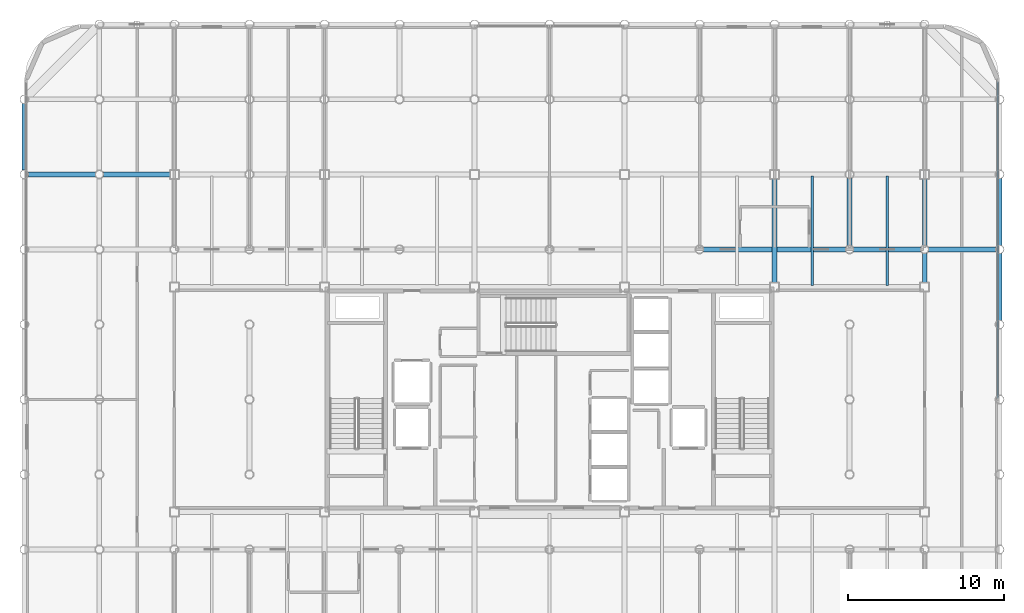
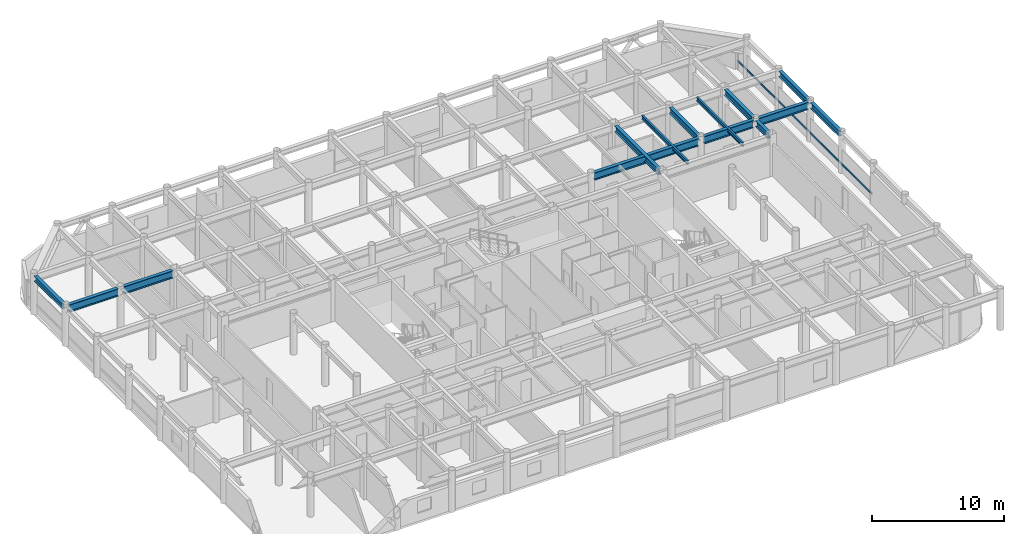
# One storey, part 11 of 22: 14 beams, 1 member, 1 element without a shape of its own.
"""IFC4 building model written with IfcOpenShell, lengths in metres."""

from ifc_helpers import new_model, si_unit, direction, frame, origin, origin_2d, place, context, subcontext, project, spatial, hollow_rectangle, i_section, extrude, material, layer, layer_set, material_profile, profile_set, type_object, element, aggregate, save


model = new_model("IFC4")

# Units and contexts
model_context = context("Model", 3, precision=1e-05, world=origin(), true_north=direction((0.0, 1.0)))
body_context = subcontext(model_context, "Body", "Model", "MODEL_VIEW")
ifc_project = project(units=[si_unit("LENGTHUNIT", "METRE"), si_unit("AREAUNIT", "SQUARE_METRE"), si_unit("VOLUMEUNIT", "CUBIC_METRE"), si_unit("PLANEANGLEUNIT", "RADIAN"), si_unit("MASSUNIT", "GRAM", prefix="KILO")], contexts=[model_context])

# Site, building, storey
site_placement = place(None, origin())
site = spatial("IfcSite", under=ifc_project, at=site_placement, CompositionType="ELEMENT")
building_placement = place(site_placement, origin())
building = spatial("IfcBuilding", under=site, at=building_placement, Name="Kallvorn Hotel Tower", CompositionType="ELEMENT")
storey_placement = place(building_placement, frame((0.0, 0.0, 264.64990234375)))
storey = spatial("IfcBuildingStorey", under=building, at=storey_placement, Name="L66", CompositionType="ELEMENT", Elevation=264.64990234375)

# Beams
ifc_material_1 = material(Name="Structural steel S355JR", Category="steel")
ifc_material_profile_1 = material_profile(ifc_material_1, i_section(OverallWidth=0.300048828125, OverallDepth=0.5, WebThickness=0.014404296875, FlangeThickness=0.028076171875, at=origin_2d()), Name="HE 500 B")
ifc_profile_set_1 = profile_set([ifc_material_profile_1], Name="Structural steel S355JR")
beam_type_1 = type_object("IfcBeamType", Name="BM_HE500B", PredefinedType="SPANDREL", material=ifc_profile_set_1)
beam_1_placement = place(storey_placement, frame((-33.60009765625, 14.66943359375, 3.420166015625), z_axis=(0.0, 1.0, 0.0), x_axis=(-1.0, 0.0, 0.0)))
element("IfcBeam", 1, at=beam_1_placement, inside=storey, type_object=beam_type_1, Name="L67 Perimeter Spandrel 180", PredefinedType="SPANDREL", context=body_context, shape_type="SweptSolid", body=[
    extrude(i_section(OverallWidth=0.300048828125, OverallDepth=0.5, WebThickness=0.014404296875, FlangeThickness=0.028076171875, at=origin_2d()), origin(), (0.0, 0.0, 1.0), 4.260986328125),
])
ifc_material_2 = material(Name="Structural steel S355JR", Category="steel")
ifc_material_profile_2 = material_profile(ifc_material_2, i_section(OverallWidth=0.300048828125, OverallDepth=0.550048828125, WebThickness=0.014892578125, FlangeThickness=0.029052734375, at=origin_2d()), Name="HE 550 B")
ifc_profile_set_2 = profile_set([ifc_material_profile_2], Name="Structural steel S355JR")
beam_type_2 = type_object("IfcBeamType", Name="BM_HE550B", PredefinedType="SPANDREL", material=ifc_profile_set_2)
beam_2_placement = place(storey_placement, frame((14.39990234375, 7.47509765625, 3.39501953125), z_axis=(0.0, 1.0, 0.0), x_axis=(-1.0, 0.0, 0.0)))
element("IfcBeam", 2, at=beam_2_placement, inside=storey, type_object=beam_type_2, Name="L67 Primary Y-Girder 124", PredefinedType="SPANDREL", context=body_context, shape_type="SweptSolid", body=[
    extrude(i_section(OverallWidth=0.300048828125, OverallDepth=0.550048828125, WebThickness=0.014892578125, FlangeThickness=0.029052734375, at=origin_2d()), origin(), (0.0, 0.0, 1.0), 6.64990234375),
])
beam_3_placement = place(storey_placement, frame((19.199951171875, 9.8544921875, 3.39501953125), z_axis=(0.0, 1.0, 0.0), x_axis=(-1.0, 0.0, 0.0)))
element("IfcBeam", 3, at=beam_3_placement, inside=storey, type_object=beam_type_2, Name="L67 Primary Y-Girder 133", PredefinedType="SPANDREL", context=body_context, shape_type="SweptSolid", body=[
    extrude(i_section(OverallWidth=0.300048828125, OverallDepth=0.550048828125, WebThickness=0.014892578125, FlangeThickness=0.029052734375, at=origin_2d()), origin(), (0.0, 0.0, 1.0), 4.291015625),
])
beam_4_placement = place(storey_placement, frame((24.0, 7.47509765625, 3.39501953125), z_axis=(0.0, 1.0, 0.0), x_axis=(-1.0, 0.0, 0.0)))
element("IfcBeam", 4, at=beam_4_placement, inside=storey, type_object=beam_type_2, Name="L67 Primary Y-Girder 139", PredefinedType="SPANDREL", context=body_context, shape_type="SweptSolid", body=[
    extrude(i_section(OverallWidth=0.300048828125, OverallDepth=0.550048828125, WebThickness=0.014892578125, FlangeThickness=0.029052734375, at=origin_2d()), origin(), (0.0, 0.0, 1.0), 1.870361328125),
])
beam_5_placement = place(storey_placement, frame((24.0, 9.8544921875, 3.39501953125), z_axis=(0.0, 1.0, 0.0), x_axis=(-1.0, 0.0, 0.0)))
element("IfcBeam", 5, at=beam_5_placement, inside=storey, type_object=beam_type_2, Name="L67 Primary Y-Girder 140", PredefinedType="SPANDREL", context=body_context, shape_type="SweptSolid", body=[
    extrude(i_section(OverallWidth=0.300048828125, OverallDepth=0.550048828125, WebThickness=0.014892578125, FlangeThickness=0.029052734375, at=origin_2d()), origin(), (0.0, 0.0, 1.0), 4.2705078125),
])
for number, where, z_axis, x_axis, name in (
    (6, (28.800048828125, 5.054443359375, 3.39501953125), (0.0, 1.0, 0.0), (-1.0, 0.0, 0.0), "L67 Primary Y-Girder 148"),
    (7, (28.800048828125, 9.8544921875, 3.39501953125), (0.0, 1.0, 0.0), (-1.0, 0.0, 0.0), "L67 Primary Y-Girder 149"),
):
    element("IfcBeam", number, at=place(storey_placement, frame(where, z_axis=z_axis, x_axis=x_axis)), inside=storey, type_object=beam_type_2, Name=name, PredefinedType="SPANDREL", context=body_context, shape_type="SweptSolid", body=[
        extrude(i_section(OverallWidth=0.300048828125, OverallDepth=0.550048828125, WebThickness=0.014892578125, FlangeThickness=0.029052734375, at=origin_2d()), origin(), (0.0, 0.0, 1.0), 4.291015625),
    ])
ifc_material_3 = material(Name="Structural steel S355JR", Category="steel")
ifc_material_profile_3 = material_profile(ifc_material_3, i_section(OverallWidth=0.300048828125, OverallDepth=0.699951171875, WebThickness=0.01708984375, FlangeThickness=0.031982421875, at=origin_2d()), Name="HE 700 B")
ifc_profile_set_3 = profile_set([ifc_material_profile_3], Name="Structural steel S355JR")
beam_type_3 = type_object("IfcBeamType", Name="BM_HE700B", PredefinedType="BEAM", material=ifc_profile_set_3)
beam_6_placement = place(storey_placement, frame((9.8544921875, 9.60009765625, 3.320068359375), z_axis=(1.0, 0.0, 0.0), x_axis=(0.0, 1.0, 0.0)))
element("IfcBeam", 8, at=beam_6_placement, inside=storey, type_object=beam_type_3, Name="L67 Primary X-Girder 47", PredefinedType="BEAM", context=body_context, shape_type="SweptSolid", body=[
    extrude(i_section(OverallWidth=0.300048828125, OverallDepth=0.699951171875, WebThickness=0.01708984375, FlangeThickness=0.031982421875, at=origin_2d()), origin(), (0.0, 0.0, 1.0), 9.091064453125),
])
for number, where, z_axis, x_axis, name in (
    (9, (19.45458984375, 9.60009765625, 3.320068359375), (1.0, 0.0, 0.0), (0.0, 1.0, 0.0), "L67 Primary X-Girder 48"),
    (10, (24.25439453125, 9.60009765625, 3.320068359375), (1.0, 0.0, 0.0), (0.0, 1.0, 0.0), "L67 Primary X-Girder 49"),
    (11, (-33.345458984375, 14.39990234375, 3.320068359375), (1.0, 0.0, 0.0), (0.0, 1.0, 0.0), "L67 Primary X-Girder 50"),
):
    element("IfcBeam", number, at=place(storey_placement, frame(where, z_axis=z_axis, x_axis=x_axis)), inside=storey, type_object=beam_type_3, Name=name, PredefinedType="BEAM", context=body_context, shape_type="SweptSolid", body=[
        extrude(i_section(OverallWidth=0.300048828125, OverallDepth=0.699951171875, WebThickness=0.01708984375, FlangeThickness=0.031982421875, at=origin_2d()), origin(), (0.0, 0.0, 1.0), 4.291015625),
    ])
beam_7_placement = place(storey_placement, frame((-28.54541015625, 14.39990234375, 3.320068359375), z_axis=(1.0, 0.0, 0.0), x_axis=(0.0, 1.0, 0.0)))
element("IfcBeam", 12, at=beam_7_placement, inside=storey, type_object=beam_type_3, Name="L67 Primary X-Girder 51", PredefinedType="BEAM", context=body_context, shape_type="SweptSolid", body=[
    extrude(i_section(OverallWidth=0.300048828125, OverallDepth=0.699951171875, WebThickness=0.01708984375, FlangeThickness=0.031982421875, at=origin_2d()), origin(), (0.0, 0.0, 1.0), 4.2705078125),
])
ifc_material_4 = material(Name="Structural steel S355JR", Category="steel")
ifc_material_profile_4 = material_profile(ifc_material_4, i_section(OverallWidth=0.169921875, OverallDepth=0.360107421875, WebThickness=0.008056640625, FlangeThickness=0.0126953125, at=origin_2d()), Name="IPE 360")
ifc_profile_set_4 = profile_set([ifc_material_profile_4], Name="Structural steel S355JR")
beam_type_4 = type_object("IfcBeamType", Name="BM_IPE360", PredefinedType="JOIST", material=ifc_profile_set_4)
for number, where, z_axis, x_axis, name in (
    (13, (16.800048828125, 7.300048828125, 3.489990234375), (0.0, 1.0, 0.0), (-1.0, 0.0, 0.0), "L67 Secondary Composite Joist 207"),
    (14, (21.60009765625, 7.300048828125, 3.489990234375), (0.0, 1.0, 0.0), (-1.0, 0.0, 0.0), "L67 Secondary Composite Joist 209"),
):
    element("IfcBeam", number, at=place(storey_placement, frame(where, z_axis=z_axis, x_axis=x_axis)), inside=storey, type_object=beam_type_4, Name=name, PredefinedType="JOIST", context=body_context, shape_type="SweptSolid", body=[
        extrude(i_section(OverallWidth=0.169921875, OverallDepth=0.360107421875, WebThickness=0.008056640625, FlangeThickness=0.0126953125, at=origin_2d()), origin(), (0.0, 0.0, 1.0), 7.0),
    ])

# Curtain wall, member
ifc_material_5 = material(Name="Thermally broken black-anodised aluminium AA 6063-T6", Category="aluminium")
ifc_layer = layer(ifc_material_5, 0.22998046875)
ifc_layer_set = layer_set([ifc_layer], Name="CW_SYS_5_HOTEL_HIGH")
curtain_wall_type = type_object("IfcCurtainWallType", Name="CW_SYS_5_HOTEL_HIGH", PredefinedType="USERDEFINED", material=ifc_layer_set)
curtain_wall_placement = place(storey_placement, origin())
curtain_wall = element("IfcCurtainWall", 15, at=curtain_wall_placement, inside=storey, type_object=curtain_wall_type, Name="L66 Dark-Glass Curtain Wall CW-L66-EN", ObjectType="UNITISED CURTAIN WALL", PredefinedType="USERDEFINED")
ifc_material_6 = material(Name="Thermally broken black-anodised aluminium AA 6063-T6", Category="aluminium")
ifc_material_profile_5 = material_profile(ifc_material_6, hollow_rectangle(XDim=0.070068359375, YDim=0.179931640625, WallThickness=0.00390625, at=origin_2d()), Name="TRN 180x70")
ifc_profile_set_5 = profile_set([ifc_material_profile_5], Name="Thermally broken black-anodised aluminium AA 6063-T6")
member_type = type_object("IfcMemberType", Name="CW_TRANSOM_180x70", PredefinedType="USERDEFINED", material=ifc_profile_set_5)
member_placement = place(storey_placement, frame((28.679931640625, 0.06005859375, 0.85009765625), z_axis=(0.0, 1.0, 0.0), x_axis=(-1.0, 0.0, 0.0)))
member = element("IfcMember", 16, at=member_placement, type_object=member_type, Name="CW-L66-EN Transom 00M", ObjectType="TRANSOM", PredefinedType="USERDEFINED", context=body_context, shape_type="SweptSolid", body=[
    extrude(hollow_rectangle(XDim=0.070068359375, YDim=0.179931640625, WallThickness=0.00390625, at=origin_2d()), origin(), (0.0, 0.0, 1.0), 20.300048828125),
])
aggregate(curtain_wall, [member])

save(model, "model.ifc")
